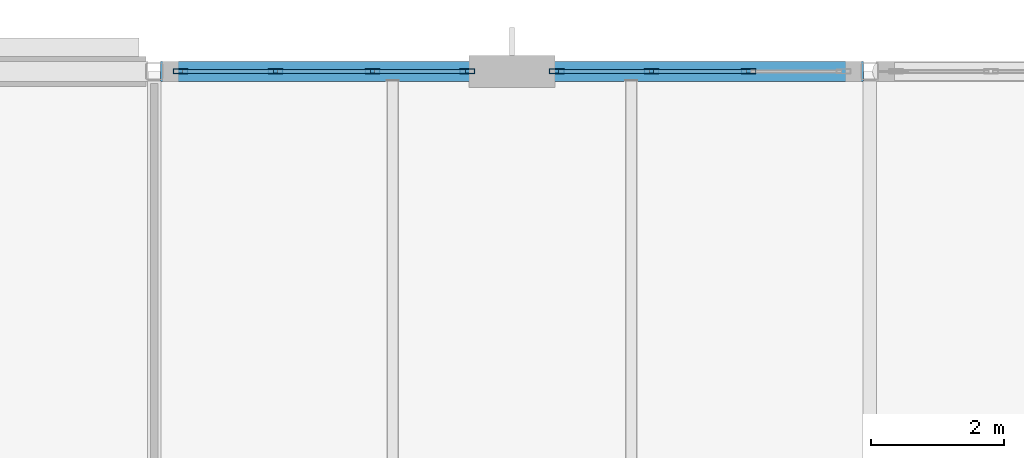
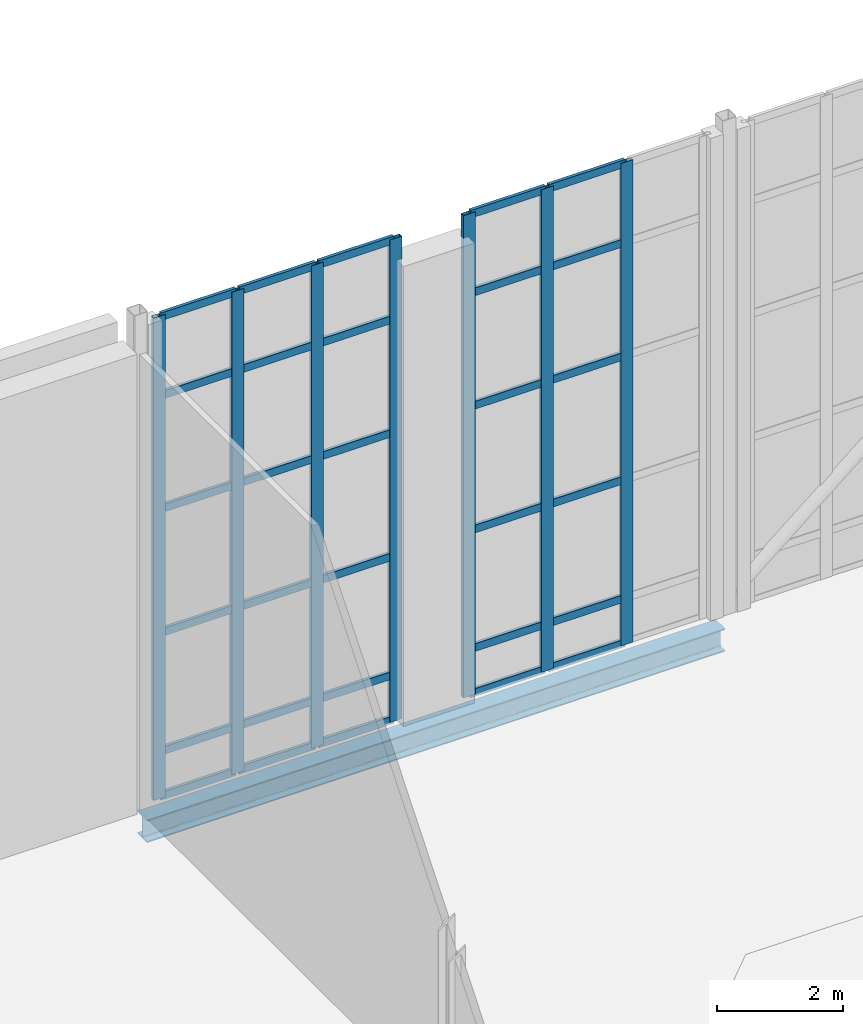
# One storey, part 52 of 100: 37 members, 1 beam, 2 elements without a shape of their own.
"""IFC4 building model written with IfcOpenShell, lengths in metres."""

from ifc_helpers import new_model, si_unit, direction, frame, origin, origin_2d, place, context, subcontext, project, spatial, hollow_rectangle, i_section, extrude, material, layer, layer_set, material_profile, profile_set, type_object, element, aggregate, save


model = new_model("IFC4")

# Units and contexts
model_context = context("Model", 3, precision=1e-05, world=origin(), true_north=direction((0.0, 1.0)))
body_context = subcontext(model_context, "Body", "Model", "MODEL_VIEW")
ifc_project = project(units=[si_unit("LENGTHUNIT", "METRE"), si_unit("AREAUNIT", "SQUARE_METRE"), si_unit("VOLUMEUNIT", "CUBIC_METRE"), si_unit("PLANEANGLEUNIT", "RADIAN"), si_unit("MASSUNIT", "GRAM", prefix="KILO")], contexts=[model_context])

# Site, building, storey
site_placement = place(None, origin())
site = spatial("IfcSite", under=ifc_project, at=site_placement, CompositionType="ELEMENT")
building_placement = place(site_placement, origin())
building = spatial("IfcBuilding", under=site, at=building_placement, Name="Tasgan Crest Museum", CompositionType="ELEMENT")
storey_placement = place(building_placement, frame((0.0, 0.0, 14.39990234375)))
storey = spatial("IfcBuildingStorey", under=building, at=storey_placement, Name="L03", CompositionType="ELEMENT", Elevation=14.39990234375)

# Beam
ifc_material_1 = material(Name="Steel S355J2", Category="steel")
ifc_material_profile_1 = material_profile(ifc_material_1, i_section(OverallWidth=0.300048828125, OverallDepth=0.43994140625, WebThickness=0.011474609375, FlangeThickness=0.02099609375, FilletRadius=0.027099609375, at=origin_2d()), Name="HEA 450")
ifc_profile_set_1 = profile_set([ifc_material_profile_1], Name="Steel S355J2")
beam_type = type_object("IfcBeamType", Name="BM-G-HEA450", PredefinedType="BEAM", material=ifc_profile_set_1)
beam_placement = place(storey_placement, frame((54.095947265625, 112.0, -0.4599609375), z_axis=(1.0, 0.0, 0.0), x_axis=(0.0, 1.0, 0.0)))
element("IfcBeam", 1, at=beam_placement, inside=storey, type_object=beam_type, Name="Girder L03 M 54.0-64.8", PredefinedType="BEAM", context=body_context, shape_type="SweptSolid", body=[
    extrude(i_section(OverallWidth=0.300048828125, OverallDepth=0.43994140625, WebThickness=0.011474609375, FlangeThickness=0.02099609375, FilletRadius=0.027099609375, at=origin_2d()), origin(), (0.0, 0.0, 1.0), 10.608154296875),
])

# Curtain wall, members
ifc_material_2 = material(Name="Triple-Glazed Aluminium Curtain Wall", Category="aluminium")
ifc_layer = layer(ifc_material_2, 0.179931640625, Name="CW-CORE-STRIP-96")
ifc_layer_set = layer_set([ifc_layer], Name="Triple-Glazed Aluminium Curtain Wall")
curtain_wall_type = type_object("IfcCurtainWallType", Name="CW-CORE-STRIP-96", PredefinedType="NOTDEFINED", material=ifc_layer_set)
curtain_wall_1_placement = place(storey_placement, origin())
curtain_wall_1 = element("IfcCurtainWall", 2, at=curtain_wall_1_placement, inside=storey, type_object=curtain_wall_type, Name="Curtain wall L03 129", PredefinedType="NOTDEFINED")
ifc_material_3 = material(Name="Anodised Aluminium", Category="aluminium")
ifc_material_profile_2 = material_profile(ifc_material_3, hollow_rectangle(XDim=0.074951171875, YDim=0.219970703125, WallThickness=0.006103515625, at=origin_2d()), Name="ALU MULLION 220x75x6")
ifc_profile_set_2 = profile_set([ifc_material_profile_2], Name="Anodised Aluminium")
member_type_1 = type_object("IfcMemberType", Name="CW-MULLION-220", PredefinedType="MULLION", material=ifc_profile_set_2)
member_1_placement = place(storey_placement, frame((62.9716796875, 112.0, 0.0), z_axis=(0.0, 0.0, 1.0), x_axis=(0.0, -1.0, 0.0)))
member_1 = element("IfcMember", 3, at=member_1_placement, type_object=member_type_1, Name="CW20 mullion 2", PredefinedType="MULLION", context=body_context, shape_type="SweptSolid", body=[
    extrude(hollow_rectangle(XDim=0.074951171875, YDim=0.219970703125, WallThickness=0.006103515625, at=origin_2d()), origin(), (0.0, 0.0, 1.0), 9.360107421875),
])
member_2_placement = place(storey_placement, frame((61.50830078125, 112.0, 0.0), z_axis=(0.0, 0.0, 1.0), x_axis=(0.0, -1.0, 0.0)))
member_2 = element("IfcMember", 4, at=member_2_placement, type_object=member_type_1, Name="CW20 mullion 3", PredefinedType="MULLION", context=body_context, shape_type="SweptSolid", body=[
    extrude(hollow_rectangle(XDim=0.074951171875, YDim=0.219970703125, WallThickness=0.006103515625, at=origin_2d()), origin(), (0.0, 0.0, 1.0), 9.360107421875),
])
member_3_placement = place(storey_placement, frame((60.074951171875, 112.0, 0.0), z_axis=(0.0, 0.0, 1.0), x_axis=(0.0, -1.0, 0.0)))
member_3 = element("IfcMember", 5, at=member_3_placement, type_object=member_type_1, Name="CW20 mullion 4", PredefinedType="MULLION", context=body_context, shape_type="SweptSolid", body=[
    extrude(hollow_rectangle(XDim=0.074951171875, YDim=0.219970703125, WallThickness=0.006103515625, at=origin_2d()), origin(), (0.0, 0.0, 1.0), 9.360107421875),
])

curtain_wall_2_placement = place(storey_placement, origin())
curtain_wall_2 = element("IfcCurtainWall", 6, at=curtain_wall_2_placement, inside=storey, type_object=curtain_wall_type, Name="Curtain wall L03 130", PredefinedType="NOTDEFINED")
member_4_placement = place(storey_placement, frame((58.72509765625, 112.0, 0.0), z_axis=(0.0, 0.0, 1.0), x_axis=(0.0, -1.0, 0.0)))
member_4 = element("IfcMember", 7, at=member_4_placement, type_object=member_type_1, Name="CW20 mullion 1", PredefinedType="MULLION", context=body_context, shape_type="SweptSolid", body=[
    extrude(hollow_rectangle(XDim=0.074951171875, YDim=0.219970703125, WallThickness=0.006103515625, at=origin_2d()), origin(), (0.0, 0.0, 1.0), 9.360107421875),
])
member_5_placement = place(storey_placement, frame((57.291748046875, 112.0, 0.0), z_axis=(0.0, 0.0, 1.0), x_axis=(0.0, -1.0, 0.0)))
member_5 = element("IfcMember", 8, at=member_5_placement, type_object=member_type_1, Name="CW20 mullion 2", PredefinedType="MULLION", context=body_context, shape_type="SweptSolid", body=[
    extrude(hollow_rectangle(XDim=0.074951171875, YDim=0.219970703125, WallThickness=0.006103515625, at=origin_2d()), origin(), (0.0, 0.0, 1.0), 9.360107421875),
])
member_6_placement = place(storey_placement, frame((55.828369140625, 112.0, 0.0), z_axis=(0.0, 0.0, 1.0), x_axis=(0.0, -1.0, 0.0)))
member_6 = element("IfcMember", 9, at=member_6_placement, type_object=member_type_1, Name="CW20 mullion 3", PredefinedType="MULLION", context=body_context, shape_type="SweptSolid", body=[
    extrude(hollow_rectangle(XDim=0.074951171875, YDim=0.219970703125, WallThickness=0.006103515625, at=origin_2d()), origin(), (0.0, 0.0, 1.0), 9.360107421875),
])
member_7_placement = place(storey_placement, frame((54.39501953125, 112.0, 0.0), z_axis=(0.0, 0.0, 1.0), x_axis=(0.0, -1.0, 0.0)))
member_7 = element("IfcMember", 10, at=member_7_placement, type_object=member_type_1, Name="CW20 mullion 4", PredefinedType="MULLION", context=body_context, shape_type="SweptSolid", body=[
    extrude(hollow_rectangle(XDim=0.074951171875, YDim=0.219970703125, WallThickness=0.006103515625, at=origin_2d()), origin(), (0.0, 0.0, 1.0), 9.360107421875),
])

# Member
ifc_material_4 = material(Name="Anodised Aluminium", Category="aluminium")
ifc_material_profile_3 = material_profile(ifc_material_4, hollow_rectangle(XDim=0.06005859375, YDim=0.14990234375, WallThickness=0.0048828125, at=origin_2d()), Name="ALU TRANSOM 150x60x5")
ifc_profile_set_3 = profile_set([ifc_material_profile_3], Name="Anodised Aluminium")
member_type_2 = type_object("IfcMemberType", Name="CW-TRANSOM-150", PredefinedType="USERDEFINED", material=ifc_profile_set_3)
member_8_placement = place(storey_placement, frame((62.941650390625, 112.0, 0.030029296875), z_axis=(-1.0, 0.0, 0.0), x_axis=(0.0, -1.0, 0.0)))
member_8 = element("IfcMember", 11, at=member_8_placement, type_object=member_type_2, Name="CW20 transom 2.1", ObjectType="TRANSOM", PredefinedType="USERDEFINED", context=body_context, shape_type="SweptSolid", body=[
    extrude(hollow_rectangle(XDim=0.06005859375, YDim=0.14990234375, WallThickness=0.0048828125, at=origin_2d()), origin(), (0.0, 0.0, 1.0), 1.4033203125),
])

member_9_placement = place(storey_placement, frame((62.941650390625, 112.0, 0.900146484375), z_axis=(-1.0, 0.0, 0.0), x_axis=(0.0, -1.0, 0.0)))
member_9 = element("IfcMember", 12, at=member_9_placement, type_object=member_type_2, Name="CW20 transom 2.2", ObjectType="TRANSOM", PredefinedType="USERDEFINED", context=body_context, shape_type="SweptSolid", body=[
    extrude(hollow_rectangle(XDim=0.06005859375, YDim=0.14990234375, WallThickness=0.0048828125, at=origin_2d()), origin(), (0.0, 0.0, 1.0), 1.4033203125),
])

member_10_placement = place(storey_placement, frame((62.941650390625, 112.0, 3.2001953125), z_axis=(-1.0, 0.0, 0.0), x_axis=(0.0, -1.0, 0.0)))
member_10 = element("IfcMember", 13, at=member_10_placement, type_object=member_type_2, Name="CW20 transom 2.3", ObjectType="TRANSOM", PredefinedType="USERDEFINED", context=body_context, shape_type="SweptSolid", body=[
    extrude(hollow_rectangle(XDim=0.06005859375, YDim=0.14990234375, WallThickness=0.0048828125, at=origin_2d()), origin(), (0.0, 0.0, 1.0), 1.4033203125),
])

member_11_placement = place(storey_placement, frame((62.941650390625, 112.0, 5.60009765625), z_axis=(-1.0, 0.0, 0.0), x_axis=(0.0, -1.0, 0.0)))
member_11 = element("IfcMember", 14, at=member_11_placement, type_object=member_type_2, Name="CW20 transom 2.4", ObjectType="TRANSOM", PredefinedType="USERDEFINED", context=body_context, shape_type="SweptSolid", body=[
    extrude(hollow_rectangle(XDim=0.06005859375, YDim=0.14990234375, WallThickness=0.0048828125, at=origin_2d()), origin(), (0.0, 0.0, 1.0), 1.4033203125),
])

member_12_placement = place(storey_placement, frame((62.941650390625, 112.0, 7.800048828125), z_axis=(-1.0, 0.0, 0.0), x_axis=(0.0, -1.0, 0.0)))
member_12 = element("IfcMember", 15, at=member_12_placement, type_object=member_type_2, Name="CW20 transom 2.5", ObjectType="TRANSOM", PredefinedType="USERDEFINED", context=body_context, shape_type="SweptSolid", body=[
    extrude(hollow_rectangle(XDim=0.06005859375, YDim=0.14990234375, WallThickness=0.0048828125, at=origin_2d()), origin(), (0.0, 0.0, 1.0), 1.4033203125),
])

member_13_placement = place(storey_placement, frame((62.941650390625, 112.0, 9.330078125), z_axis=(-1.0, 0.0, 0.0), x_axis=(0.0, -1.0, 0.0)))
member_13 = element("IfcMember", 16, at=member_13_placement, type_object=member_type_2, Name="CW20 transom 2.6", ObjectType="TRANSOM", PredefinedType="USERDEFINED", context=body_context, shape_type="SweptSolid", body=[
    extrude(hollow_rectangle(XDim=0.06005859375, YDim=0.14990234375, WallThickness=0.0048828125, at=origin_2d()), origin(), (0.0, 0.0, 1.0), 1.4033203125),
])

member_14_placement = place(storey_placement, frame((61.478271484375, 112.0, 0.030029296875), z_axis=(-1.0, 0.0, 0.0), x_axis=(0.0, -1.0, 0.0)))
member_14 = element("IfcMember", 17, at=member_14_placement, type_object=member_type_2, Name="CW20 transom 3.1", ObjectType="TRANSOM", PredefinedType="USERDEFINED", context=body_context, shape_type="SweptSolid", body=[
    extrude(hollow_rectangle(XDim=0.06005859375, YDim=0.14990234375, WallThickness=0.0048828125, at=origin_2d()), origin(), (0.0, 0.0, 1.0), 1.373291015625),
])

member_15_placement = place(storey_placement, frame((61.478271484375, 112.0, 0.900146484375), z_axis=(-1.0, 0.0, 0.0), x_axis=(0.0, -1.0, 0.0)))
member_15 = element("IfcMember", 18, at=member_15_placement, type_object=member_type_2, Name="CW20 transom 3.2", ObjectType="TRANSOM", PredefinedType="USERDEFINED", context=body_context, shape_type="SweptSolid", body=[
    extrude(hollow_rectangle(XDim=0.06005859375, YDim=0.14990234375, WallThickness=0.0048828125, at=origin_2d()), origin(), (0.0, 0.0, 1.0), 1.373291015625),
])

member_16_placement = place(storey_placement, frame((61.478271484375, 112.0, 3.2001953125), z_axis=(-1.0, 0.0, 0.0), x_axis=(0.0, -1.0, 0.0)))
member_16 = element("IfcMember", 19, at=member_16_placement, type_object=member_type_2, Name="CW20 transom 3.3", ObjectType="TRANSOM", PredefinedType="USERDEFINED", context=body_context, shape_type="SweptSolid", body=[
    extrude(hollow_rectangle(XDim=0.06005859375, YDim=0.14990234375, WallThickness=0.0048828125, at=origin_2d()), origin(), (0.0, 0.0, 1.0), 1.373291015625),
])

member_17_placement = place(storey_placement, frame((61.478271484375, 112.0, 5.60009765625), z_axis=(-1.0, 0.0, 0.0), x_axis=(0.0, -1.0, 0.0)))
member_17 = element("IfcMember", 20, at=member_17_placement, type_object=member_type_2, Name="CW20 transom 3.4", ObjectType="TRANSOM", PredefinedType="USERDEFINED", context=body_context, shape_type="SweptSolid", body=[
    extrude(hollow_rectangle(XDim=0.06005859375, YDim=0.14990234375, WallThickness=0.0048828125, at=origin_2d()), origin(), (0.0, 0.0, 1.0), 1.373291015625),
])

member_18_placement = place(storey_placement, frame((61.478271484375, 112.0, 7.800048828125), z_axis=(-1.0, 0.0, 0.0), x_axis=(0.0, -1.0, 0.0)))
member_18 = element("IfcMember", 21, at=member_18_placement, type_object=member_type_2, Name="CW20 transom 3.5", ObjectType="TRANSOM", PredefinedType="USERDEFINED", context=body_context, shape_type="SweptSolid", body=[
    extrude(hollow_rectangle(XDim=0.06005859375, YDim=0.14990234375, WallThickness=0.0048828125, at=origin_2d()), origin(), (0.0, 0.0, 1.0), 1.373291015625),
])

member_19_placement = place(storey_placement, frame((61.478271484375, 112.0, 9.330078125), z_axis=(-1.0, 0.0, 0.0), x_axis=(0.0, -1.0, 0.0)))
member_19 = element("IfcMember", 22, at=member_19_placement, type_object=member_type_2, Name="CW20 transom 3.6", ObjectType="TRANSOM", PredefinedType="USERDEFINED", context=body_context, shape_type="SweptSolid", body=[
    extrude(hollow_rectangle(XDim=0.06005859375, YDim=0.14990234375, WallThickness=0.0048828125, at=origin_2d()), origin(), (0.0, 0.0, 1.0), 1.373291015625),
])

aggregate(curtain_wall_1, [member_1, member_2, member_3, member_8, member_9, member_10, member_11, member_12, member_13, member_14, member_15, member_16, member_17, member_18, member_19])

member_20_placement = place(storey_placement, frame((58.695068359375, 112.0, 0.030029296875), z_axis=(-1.0, 0.0, 0.0), x_axis=(0.0, -1.0, 0.0)))
member_20 = element("IfcMember", 23, at=member_20_placement, type_object=member_type_2, Name="CW20 transom 1.1", ObjectType="TRANSOM", PredefinedType="USERDEFINED", context=body_context, shape_type="SweptSolid", body=[
    extrude(hollow_rectangle(XDim=0.06005859375, YDim=0.14990234375, WallThickness=0.0048828125, at=origin_2d()), origin(), (0.0, 0.0, 1.0), 1.373291015625),
])

member_21_placement = place(storey_placement, frame((58.695068359375, 112.0, 0.900146484375), z_axis=(-1.0, 0.0, 0.0), x_axis=(0.0, -1.0, 0.0)))
member_21 = element("IfcMember", 24, at=member_21_placement, type_object=member_type_2, Name="CW20 transom 1.2", ObjectType="TRANSOM", PredefinedType="USERDEFINED", context=body_context, shape_type="SweptSolid", body=[
    extrude(hollow_rectangle(XDim=0.06005859375, YDim=0.14990234375, WallThickness=0.0048828125, at=origin_2d()), origin(), (0.0, 0.0, 1.0), 1.373291015625),
])

member_22_placement = place(storey_placement, frame((58.695068359375, 112.0, 3.2001953125), z_axis=(-1.0, 0.0, 0.0), x_axis=(0.0, -1.0, 0.0)))
member_22 = element("IfcMember", 25, at=member_22_placement, type_object=member_type_2, Name="CW20 transom 1.3", ObjectType="TRANSOM", PredefinedType="USERDEFINED", context=body_context, shape_type="SweptSolid", body=[
    extrude(hollow_rectangle(XDim=0.06005859375, YDim=0.14990234375, WallThickness=0.0048828125, at=origin_2d()), origin(), (0.0, 0.0, 1.0), 1.373291015625),
])

member_23_placement = place(storey_placement, frame((58.695068359375, 112.0, 5.60009765625), z_axis=(-1.0, 0.0, 0.0), x_axis=(0.0, -1.0, 0.0)))
member_23 = element("IfcMember", 26, at=member_23_placement, type_object=member_type_2, Name="CW20 transom 1.4", ObjectType="TRANSOM", PredefinedType="USERDEFINED", context=body_context, shape_type="SweptSolid", body=[
    extrude(hollow_rectangle(XDim=0.06005859375, YDim=0.14990234375, WallThickness=0.0048828125, at=origin_2d()), origin(), (0.0, 0.0, 1.0), 1.373291015625),
])

member_24_placement = place(storey_placement, frame((58.695068359375, 112.0, 7.800048828125), z_axis=(-1.0, 0.0, 0.0), x_axis=(0.0, -1.0, 0.0)))
member_24 = element("IfcMember", 27, at=member_24_placement, type_object=member_type_2, Name="CW20 transom 1.5", ObjectType="TRANSOM", PredefinedType="USERDEFINED", context=body_context, shape_type="SweptSolid", body=[
    extrude(hollow_rectangle(XDim=0.06005859375, YDim=0.14990234375, WallThickness=0.0048828125, at=origin_2d()), origin(), (0.0, 0.0, 1.0), 1.373291015625),
])

member_25_placement = place(storey_placement, frame((58.695068359375, 112.0, 9.330078125), z_axis=(-1.0, 0.0, 0.0), x_axis=(0.0, -1.0, 0.0)))
member_25 = element("IfcMember", 28, at=member_25_placement, type_object=member_type_2, Name="CW20 transom 1.6", ObjectType="TRANSOM", PredefinedType="USERDEFINED", context=body_context, shape_type="SweptSolid", body=[
    extrude(hollow_rectangle(XDim=0.06005859375, YDim=0.14990234375, WallThickness=0.0048828125, at=origin_2d()), origin(), (0.0, 0.0, 1.0), 1.373291015625),
])

member_26_placement = place(storey_placement, frame((57.26171875, 112.0, 0.030029296875), z_axis=(-1.0, 0.0, 0.0), x_axis=(0.0, -1.0, 0.0)))
member_26 = element("IfcMember", 29, at=member_26_placement, type_object=member_type_2, Name="CW20 transom 2.1", ObjectType="TRANSOM", PredefinedType="USERDEFINED", context=body_context, shape_type="SweptSolid", body=[
    extrude(hollow_rectangle(XDim=0.06005859375, YDim=0.14990234375, WallThickness=0.0048828125, at=origin_2d()), origin(), (0.0, 0.0, 1.0), 1.4033203125),
])

member_27_placement = place(storey_placement, frame((57.26171875, 112.0, 0.900146484375), z_axis=(-1.0, 0.0, 0.0), x_axis=(0.0, -1.0, 0.0)))
member_27 = element("IfcMember", 30, at=member_27_placement, type_object=member_type_2, Name="CW20 transom 2.2", ObjectType="TRANSOM", PredefinedType="USERDEFINED", context=body_context, shape_type="SweptSolid", body=[
    extrude(hollow_rectangle(XDim=0.06005859375, YDim=0.14990234375, WallThickness=0.0048828125, at=origin_2d()), origin(), (0.0, 0.0, 1.0), 1.4033203125),
])

member_28_placement = place(storey_placement, frame((57.26171875, 112.0, 3.2001953125), z_axis=(-1.0, 0.0, 0.0), x_axis=(0.0, -1.0, 0.0)))
member_28 = element("IfcMember", 31, at=member_28_placement, type_object=member_type_2, Name="CW20 transom 2.3", ObjectType="TRANSOM", PredefinedType="USERDEFINED", context=body_context, shape_type="SweptSolid", body=[
    extrude(hollow_rectangle(XDim=0.06005859375, YDim=0.14990234375, WallThickness=0.0048828125, at=origin_2d()), origin(), (0.0, 0.0, 1.0), 1.4033203125),
])

member_29_placement = place(storey_placement, frame((57.26171875, 112.0, 5.60009765625), z_axis=(-1.0, 0.0, 0.0), x_axis=(0.0, -1.0, 0.0)))
member_29 = element("IfcMember", 32, at=member_29_placement, type_object=member_type_2, Name="CW20 transom 2.4", ObjectType="TRANSOM", PredefinedType="USERDEFINED", context=body_context, shape_type="SweptSolid", body=[
    extrude(hollow_rectangle(XDim=0.06005859375, YDim=0.14990234375, WallThickness=0.0048828125, at=origin_2d()), origin(), (0.0, 0.0, 1.0), 1.4033203125),
])

member_30_placement = place(storey_placement, frame((57.26171875, 112.0, 7.800048828125), z_axis=(-1.0, 0.0, 0.0), x_axis=(0.0, -1.0, 0.0)))
member_30 = element("IfcMember", 33, at=member_30_placement, type_object=member_type_2, Name="CW20 transom 2.5", ObjectType="TRANSOM", PredefinedType="USERDEFINED", context=body_context, shape_type="SweptSolid", body=[
    extrude(hollow_rectangle(XDim=0.06005859375, YDim=0.14990234375, WallThickness=0.0048828125, at=origin_2d()), origin(), (0.0, 0.0, 1.0), 1.4033203125),
])

member_31_placement = place(storey_placement, frame((57.26171875, 112.0, 9.330078125), z_axis=(-1.0, 0.0, 0.0), x_axis=(0.0, -1.0, 0.0)))
member_31 = element("IfcMember", 34, at=member_31_placement, type_object=member_type_2, Name="CW20 transom 2.6", ObjectType="TRANSOM", PredefinedType="USERDEFINED", context=body_context, shape_type="SweptSolid", body=[
    extrude(hollow_rectangle(XDim=0.06005859375, YDim=0.14990234375, WallThickness=0.0048828125, at=origin_2d()), origin(), (0.0, 0.0, 1.0), 1.4033203125),
])

member_32_placement = place(storey_placement, frame((55.79833984375, 112.0, 0.030029296875), z_axis=(-1.0, 0.0, 0.0), x_axis=(0.0, -1.0, 0.0)))
member_32 = element("IfcMember", 35, at=member_32_placement, type_object=member_type_2, Name="CW20 transom 3.1", ObjectType="TRANSOM", PredefinedType="USERDEFINED", context=body_context, shape_type="SweptSolid", body=[
    extrude(hollow_rectangle(XDim=0.06005859375, YDim=0.14990234375, WallThickness=0.0048828125, at=origin_2d()), origin(), (0.0, 0.0, 1.0), 1.373291015625),
])

member_33_placement = place(storey_placement, frame((55.79833984375, 112.0, 0.900146484375), z_axis=(-1.0, 0.0, 0.0), x_axis=(0.0, -1.0, 0.0)))
member_33 = element("IfcMember", 36, at=member_33_placement, type_object=member_type_2, Name="CW20 transom 3.2", ObjectType="TRANSOM", PredefinedType="USERDEFINED", context=body_context, shape_type="SweptSolid", body=[
    extrude(hollow_rectangle(XDim=0.06005859375, YDim=0.14990234375, WallThickness=0.0048828125, at=origin_2d()), origin(), (0.0, 0.0, 1.0), 1.373291015625),
])

member_34_placement = place(storey_placement, frame((55.79833984375, 112.0, 3.2001953125), z_axis=(-1.0, 0.0, 0.0), x_axis=(0.0, -1.0, 0.0)))
member_34 = element("IfcMember", 37, at=member_34_placement, type_object=member_type_2, Name="CW20 transom 3.3", ObjectType="TRANSOM", PredefinedType="USERDEFINED", context=body_context, shape_type="SweptSolid", body=[
    extrude(hollow_rectangle(XDim=0.06005859375, YDim=0.14990234375, WallThickness=0.0048828125, at=origin_2d()), origin(), (0.0, 0.0, 1.0), 1.373291015625),
])

member_35_placement = place(storey_placement, frame((55.79833984375, 112.0, 5.60009765625), z_axis=(-1.0, 0.0, 0.0), x_axis=(0.0, -1.0, 0.0)))
member_35 = element("IfcMember", 38, at=member_35_placement, type_object=member_type_2, Name="CW20 transom 3.4", ObjectType="TRANSOM", PredefinedType="USERDEFINED", context=body_context, shape_type="SweptSolid", body=[
    extrude(hollow_rectangle(XDim=0.06005859375, YDim=0.14990234375, WallThickness=0.0048828125, at=origin_2d()), origin(), (0.0, 0.0, 1.0), 1.373291015625),
])

member_36_placement = place(storey_placement, frame((55.79833984375, 112.0, 7.800048828125), z_axis=(-1.0, 0.0, 0.0), x_axis=(0.0, -1.0, 0.0)))
member_36 = element("IfcMember", 39, at=member_36_placement, type_object=member_type_2, Name="CW20 transom 3.5", ObjectType="TRANSOM", PredefinedType="USERDEFINED", context=body_context, shape_type="SweptSolid", body=[
    extrude(hollow_rectangle(XDim=0.06005859375, YDim=0.14990234375, WallThickness=0.0048828125, at=origin_2d()), origin(), (0.0, 0.0, 1.0), 1.373291015625),
])

member_37_placement = place(storey_placement, frame((55.79833984375, 112.0, 9.330078125), z_axis=(-1.0, 0.0, 0.0), x_axis=(0.0, -1.0, 0.0)))
member_37 = element("IfcMember", 40, at=member_37_placement, type_object=member_type_2, Name="CW20 transom 3.6", ObjectType="TRANSOM", PredefinedType="USERDEFINED", context=body_context, shape_type="SweptSolid", body=[
    extrude(hollow_rectangle(XDim=0.06005859375, YDim=0.14990234375, WallThickness=0.0048828125, at=origin_2d()), origin(), (0.0, 0.0, 1.0), 1.373291015625),
])

aggregate(curtain_wall_2, [member_4, member_5, member_6, member_7, member_20, member_21, member_22, member_23, member_24, member_25, member_26, member_27, member_28, member_29, member_30, member_31, member_32, member_33, member_34, member_35, member_36, member_37])

save(model, "model.ifc")
